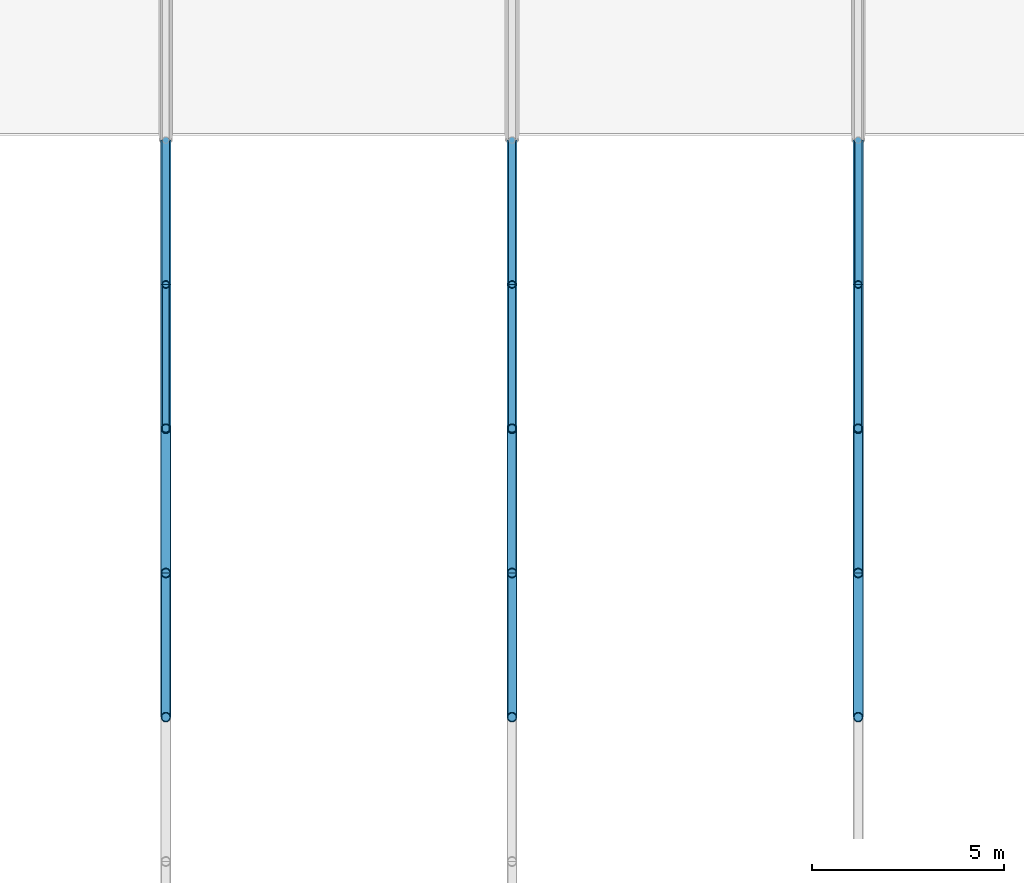
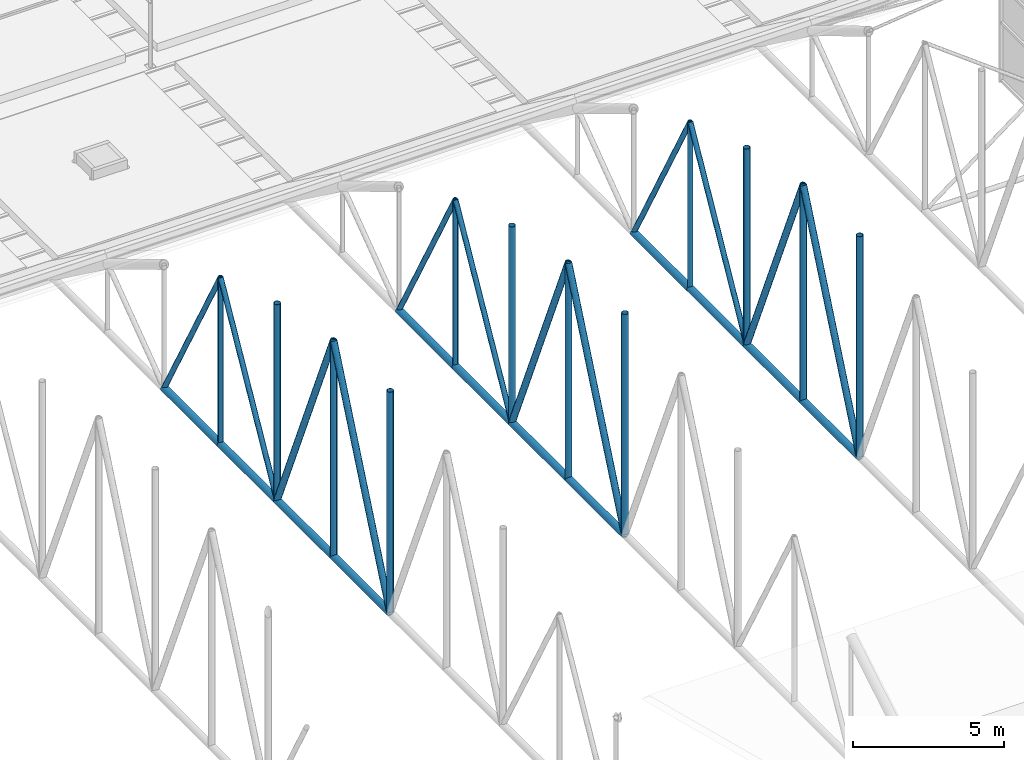
# One storey, part 62 of 153: 36 members.
"""IFC4 building model written with IfcOpenShell, lengths in metres."""

from ifc_helpers import new_model, si_unit, direction, frame, origin, origin_2d, place, context, subcontext, project, spatial, hollow_circle, extrude, material, material_profile, profile_set, type_object, element, save


model = new_model("IFC4")

# Units and contexts
model_context = context("Model", 3, precision=1e-05, world=origin(), true_north=direction((0.0, 1.0)))
body_context = subcontext(model_context, "Body", "Model", "MODEL_VIEW")
ifc_project = project(units=[si_unit("LENGTHUNIT", "METRE"), si_unit("AREAUNIT", "SQUARE_METRE"), si_unit("VOLUMEUNIT", "CUBIC_METRE"), si_unit("PLANEANGLEUNIT", "RADIAN"), si_unit("MASSUNIT", "GRAM", prefix="KILO")], contexts=[model_context])

# Site, building, storey
site_placement = place(None, origin())
site = spatial("IfcSite", under=ifc_project, at=site_placement, CompositionType="ELEMENT")
building_placement = place(site_placement, origin())
building = spatial("IfcBuilding", under=site, at=building_placement, Name="Baradari Gate Terminus", CompositionType="ELEMENT")
storey_placement = place(building_placement, frame((0.0, 0.0, 11.699951171875)))
storey = spatial("IfcBuildingStorey", under=building, at=storey_placement, Name="L02", CompositionType="ELEMENT", Elevation=11.699951171875)

# Members
ifc_material_1 = material(Name="Steel S355", Category="steel")
ifc_material_profile_1 = material_profile(ifc_material_1, hollow_circle(Radius=0.136474609375, WallThickness=0.012451171875, at=origin_2d()), Name="CHS 273x12.5")
ifc_profile_set_1 = profile_set([ifc_material_profile_1], Name="Steel S355")
member_type_1 = type_object("IfcMemberType", Name="Shed bottom chord CHS 273x12.5", PredefinedType="CHORD", material=ifc_profile_set_1)
for number, where, z_axis, x_axis, name in (
    (1, (207.0, 58.5, 0.136474609375), (0.0, 1.0, 0.0), (-1.0, 0.0, 0.0), "TR/L02/S207-BC06"),
    (2, (207.0, 62.25, 0.136474609375), (0.0, 1.0, 0.0), (-1.0, 0.0, 0.0), "TR/L02/S207-BC07"),
    (3, (207.0, 66.0, 0.136474609375), (0.0, 1.0, 0.0), (-1.0, 0.0, 0.0), "TR/L02/S207-BC08"),
    (4, (207.0, 69.75, 0.136474609375), (0.0, 1.0, 0.0), (-1.0, 0.0, 0.0), "TR/L02/S207-BC09"),
    (5, (216.0, 58.5, 0.136474609375), (0.0, 1.0, 0.0), (-1.0, 0.0, 0.0), "TR/L02/S216-BC06"),
    (6, (216.0, 62.25, 0.136474609375), (0.0, 1.0, 0.0), (-1.0, 0.0, 0.0), "TR/L02/S216-BC07"),
    (7, (216.0, 66.0, 0.136474609375), (0.0, 1.0, 0.0), (-1.0, 0.0, 0.0), "TR/L02/S216-BC08"),
    (8, (216.0, 69.75, 0.136474609375), (0.0, 1.0, 0.0), (-1.0, 0.0, 0.0), "TR/L02/S216-BC09"),
    (9, (225.0, 58.5, 0.136474609375), (0.0, 1.0, 0.0), (-1.0, 0.0, 0.0), "TR/L02/S225-BC06"),
    (10, (225.0, 62.25, 0.136474609375), (0.0, 1.0, 0.0), (-1.0, 0.0, 0.0), "TR/L02/S225-BC07"),
    (11, (225.0, 66.0, 0.136474609375), (0.0, 1.0, 0.0), (-1.0, 0.0, 0.0), "TR/L02/S225-BC08"),
    (12, (225.0, 69.75, 0.136474609375), (0.0, 1.0, 0.0), (-1.0, 0.0, 0.0), "TR/L02/S225-BC09"),
):
    element("IfcMember", number, at=place(storey_placement, frame(where, z_axis=z_axis, x_axis=x_axis)), inside=storey, type_object=member_type_1, Name=name, PredefinedType="CHORD", context=body_context, shape_type="SweptSolid", body=[
        extrude(hollow_circle(Radius=0.136474609375, WallThickness=0.012451171875, at=origin_2d()), origin(), (0.0, 0.0, 1.0), 3.75),
    ])
ifc_material_2 = material(Name="Steel S355", Category="steel")
ifc_material_profile_2 = material_profile(ifc_material_2, hollow_circle(Radius=0.096923828125, WallThickness=0.008056640625, at=origin_2d()), Name="CHS 193.7x8")
ifc_profile_set_2 = profile_set([ifc_material_profile_2], Name="Steel S355")
member_type_2 = type_object("IfcMemberType", Name="Shed truss diagonal CHS 193.7x8", PredefinedType="BRACE", material=ifc_profile_set_2)
for number, where, z_axis, x_axis, name in (
    (13, (207.0, 69.75, 6.886474609375), (0.0, -0.485642931179, -0.874157276122), (1.0, 0.0, 0.0), "TR/L02/S207-SD08"),
    (14, (207.0, 69.75, 6.886474609375), (0.0, 0.485642931179, -0.874157276122), (-1.0, 0.0, 0.0), "TR/L02/S207-SD09"),
    (15, (216.0, 69.75, 6.886474609375), (0.0, -0.485642931179, -0.874157276122), (1.0, 0.0, 0.0), "TR/L02/S216-SD08"),
    (16, (216.0, 69.75, 6.886474609375), (0.0, 0.485642931179, -0.874157276122), (-1.0, 0.0, 0.0), "TR/L02/S216-SD09"),
    (17, (225.0, 69.75, 6.886474609375), (0.0, -0.485642931179, -0.874157276122), (1.0, 0.0, 0.0), "TR/L02/S225-SD08"),
    (18, (225.0, 69.75, 6.886474609375), (0.0, 0.485642931179, -0.874157276122), (-1.0, 0.0, 0.0), "TR/L02/S225-SD09"),
):
    element("IfcMember", number, at=place(storey_placement, frame(where, z_axis=z_axis, x_axis=x_axis)), inside=storey, type_object=member_type_2, Name=name, PredefinedType="BRACE", context=body_context, shape_type="SweptSolid", body=[
        extrude(hollow_circle(Radius=0.096923828125, WallThickness=0.008056640625, at=origin_2d()), origin(), (0.0, 0.0, 1.0), 7.7216796875),
    ])
ifc_material_3 = material(Name="Steel S355", Category="steel")
ifc_material_profile_3 = material_profile(ifc_material_3, hollow_circle(Radius=0.122314453125, WallThickness=0.010009765625, at=origin_2d()), Name="CHS 244.5x10")
ifc_profile_set_3 = profile_set([ifc_material_profile_3], Name="Steel S355")
member_type_3 = type_object("IfcMemberType", Name="Shed truss diagonal CHS 244.5x10", PredefinedType="BRACE", material=ifc_profile_set_3)
for number, where, z_axis, x_axis, name in (
    (19, (207.0, 62.25, 8.886474609375), (0.0, -0.393919298579, -0.919145030018), (1.0, 0.0, 0.0), "TR/L02/S207-SD06"),
    (20, (207.0, 62.25, 8.886474609375), (0.0, 0.393919298579, -0.919145030018), (-1.0, 0.0, 0.0), "TR/L02/S207-SD07"),
    (21, (216.0, 62.25, 8.886474609375), (0.0, -0.393919298579, -0.919145030018), (1.0, 0.0, 0.0), "TR/L02/S216-SD06"),
    (22, (216.0, 62.25, 8.886474609375), (0.0, 0.393919298579, -0.919145030018), (-1.0, 0.0, 0.0), "TR/L02/S216-SD07"),
    (23, (225.0, 62.25, 8.886474609375), (0.0, -0.393919298579, -0.919145030018), (1.0, 0.0, 0.0), "TR/L02/S225-SD06"),
    (24, (225.0, 62.25, 8.886474609375), (0.0, 0.393919298579, -0.919145030018), (-1.0, 0.0, 0.0), "TR/L02/S225-SD07"),
):
    element("IfcMember", number, at=place(storey_placement, frame(where, z_axis=z_axis, x_axis=x_axis)), inside=storey, type_object=member_type_3, Name=name, PredefinedType="BRACE", context=body_context, shape_type="SweptSolid", body=[
        extrude(hollow_circle(Radius=0.122314453125, WallThickness=0.010009765625, at=origin_2d()), origin(), (0.0, 0.0, 1.0), 9.519775390625),
    ])
ifc_material_4 = material(Name="Steel S355", Category="steel")
ifc_material_profile_4 = material_profile(ifc_material_4, hollow_circle(Radius=0.096923828125, WallThickness=0.008056640625, at=origin_2d()), Name="CHS 193.7x8")
ifc_profile_set_4 = profile_set([ifc_material_profile_4], Name="Steel S355")
member_type_4 = type_object("IfcMemberType", Name="Shed truss post CHS 193.7x8", PredefinedType="POST", material=ifc_profile_set_4)
for number, where, z_axis, x_axis, name in (
    (25, (207.0, 69.75, 0.136474609375), (0.0, 0.0, 1.0), (1.0, 0.0, 0.0), "TR/L02/S207-SP09"),
    (26, (216.0, 69.75, 0.136474609375), (0.0, 0.0, 1.0), (1.0, 0.0, 0.0), "TR/L02/S216-SP09"),
    (27, (225.0, 69.75, 0.136474609375), (0.0, 0.0, 1.0), (1.0, 0.0, 0.0), "TR/L02/S225-SP09"),
):
    element("IfcMember", number, at=place(storey_placement, frame(where, z_axis=z_axis, x_axis=x_axis)), inside=storey, type_object=member_type_4, Name=name, PredefinedType="POST", context=body_context, shape_type="SweptSolid", body=[
        extrude(hollow_circle(Radius=0.096923828125, WallThickness=0.008056640625, at=origin_2d()), origin(), (0.0, 0.0, 1.0), 6.75),
    ])
ifc_material_5 = material(Name="Steel S355", Category="steel")
ifc_material_profile_5 = material_profile(ifc_material_5, hollow_circle(Radius=0.122314453125, WallThickness=0.010009765625, at=origin_2d()), Name="CHS 244.5x10")
ifc_profile_set_5 = profile_set([ifc_material_profile_5], Name="Steel S355")
member_type_5 = type_object("IfcMemberType", Name="Shed truss post CHS 244.5x10", PredefinedType="POST", material=ifc_profile_set_5)
member_1_placement = place(storey_placement, frame((207.0, 58.5, 0.136474609375), z_axis=(0.0, 0.0, 1.0), x_axis=(1.0, 0.0, 0.0)))
element("IfcMember", 28, at=member_1_placement, inside=storey, type_object=member_type_5, Name="TR/L02/S207-SP06", PredefinedType="POST", context=body_context, shape_type="SweptSolid", body=[
    extrude(hollow_circle(Radius=0.122314453125, WallThickness=0.010009765625, at=origin_2d()), origin(), (0.0, 0.0, 1.0), 9.0),
])
member_2_placement = place(storey_placement, frame((207.0, 62.25, 0.136474609375), z_axis=(0.0, 0.0, 1.0), x_axis=(1.0, 0.0, 0.0)))
element("IfcMember", 29, at=member_2_placement, inside=storey, type_object=member_type_5, Name="TR/L02/S207-SP07", PredefinedType="POST", context=body_context, shape_type="SweptSolid", body=[
    extrude(hollow_circle(Radius=0.122314453125, WallThickness=0.010009765625, at=origin_2d()), origin(), (0.0, 0.0, 1.0), 8.75),
])
member_3_placement = place(storey_placement, frame((207.0, 66.0, 0.136474609375), z_axis=(0.0, 0.0, 1.0), x_axis=(1.0, 0.0, 0.0)))
element("IfcMember", 30, at=member_3_placement, inside=storey, type_object=member_type_5, Name="TR/L02/S207-SP08", PredefinedType="POST", context=body_context, shape_type="SweptSolid", body=[
    extrude(hollow_circle(Radius=0.122314453125, WallThickness=0.010009765625, at=origin_2d()), origin(), (0.0, 0.0, 1.0), 8.0),
])
member_4_placement = place(storey_placement, frame((216.0, 58.5, 0.136474609375), z_axis=(0.0, 0.0, 1.0), x_axis=(1.0, 0.0, 0.0)))
element("IfcMember", 31, at=member_4_placement, inside=storey, type_object=member_type_5, Name="TR/L02/S216-SP06", PredefinedType="POST", context=body_context, shape_type="SweptSolid", body=[
    extrude(hollow_circle(Radius=0.122314453125, WallThickness=0.010009765625, at=origin_2d()), origin(), (0.0, 0.0, 1.0), 9.0),
])
member_5_placement = place(storey_placement, frame((216.0, 62.25, 0.136474609375), z_axis=(0.0, 0.0, 1.0), x_axis=(1.0, 0.0, 0.0)))
element("IfcMember", 32, at=member_5_placement, inside=storey, type_object=member_type_5, Name="TR/L02/S216-SP07", PredefinedType="POST", context=body_context, shape_type="SweptSolid", body=[
    extrude(hollow_circle(Radius=0.122314453125, WallThickness=0.010009765625, at=origin_2d()), origin(), (0.0, 0.0, 1.0), 8.75),
])
member_6_placement = place(storey_placement, frame((216.0, 66.0, 0.136474609375), z_axis=(0.0, 0.0, 1.0), x_axis=(1.0, 0.0, 0.0)))
element("IfcMember", 33, at=member_6_placement, inside=storey, type_object=member_type_5, Name="TR/L02/S216-SP08", PredefinedType="POST", context=body_context, shape_type="SweptSolid", body=[
    extrude(hollow_circle(Radius=0.122314453125, WallThickness=0.010009765625, at=origin_2d()), origin(), (0.0, 0.0, 1.0), 8.0),
])
member_7_placement = place(storey_placement, frame((225.0, 58.5, 0.136474609375), z_axis=(0.0, 0.0, 1.0), x_axis=(1.0, 0.0, 0.0)))
element("IfcMember", 34, at=member_7_placement, inside=storey, type_object=member_type_5, Name="TR/L02/S225-SP06", PredefinedType="POST", context=body_context, shape_type="SweptSolid", body=[
    extrude(hollow_circle(Radius=0.122314453125, WallThickness=0.010009765625, at=origin_2d()), origin(), (0.0, 0.0, 1.0), 9.0),
])
member_8_placement = place(storey_placement, frame((225.0, 62.25, 0.136474609375), z_axis=(0.0, 0.0, 1.0), x_axis=(1.0, 0.0, 0.0)))
element("IfcMember", 35, at=member_8_placement, inside=storey, type_object=member_type_5, Name="TR/L02/S225-SP07", PredefinedType="POST", context=body_context, shape_type="SweptSolid", body=[
    extrude(hollow_circle(Radius=0.122314453125, WallThickness=0.010009765625, at=origin_2d()), origin(), (0.0, 0.0, 1.0), 8.75),
])
member_9_placement = place(storey_placement, frame((225.0, 66.0, 0.136474609375), z_axis=(0.0, 0.0, 1.0), x_axis=(1.0, 0.0, 0.0)))
element("IfcMember", 36, at=member_9_placement, inside=storey, type_object=member_type_5, Name="TR/L02/S225-SP08", PredefinedType="POST", context=body_context, shape_type="SweptSolid", body=[
    extrude(hollow_circle(Radius=0.122314453125, WallThickness=0.010009765625, at=origin_2d()), origin(), (0.0, 0.0, 1.0), 8.0),
])

save(model, "model.ifc")
